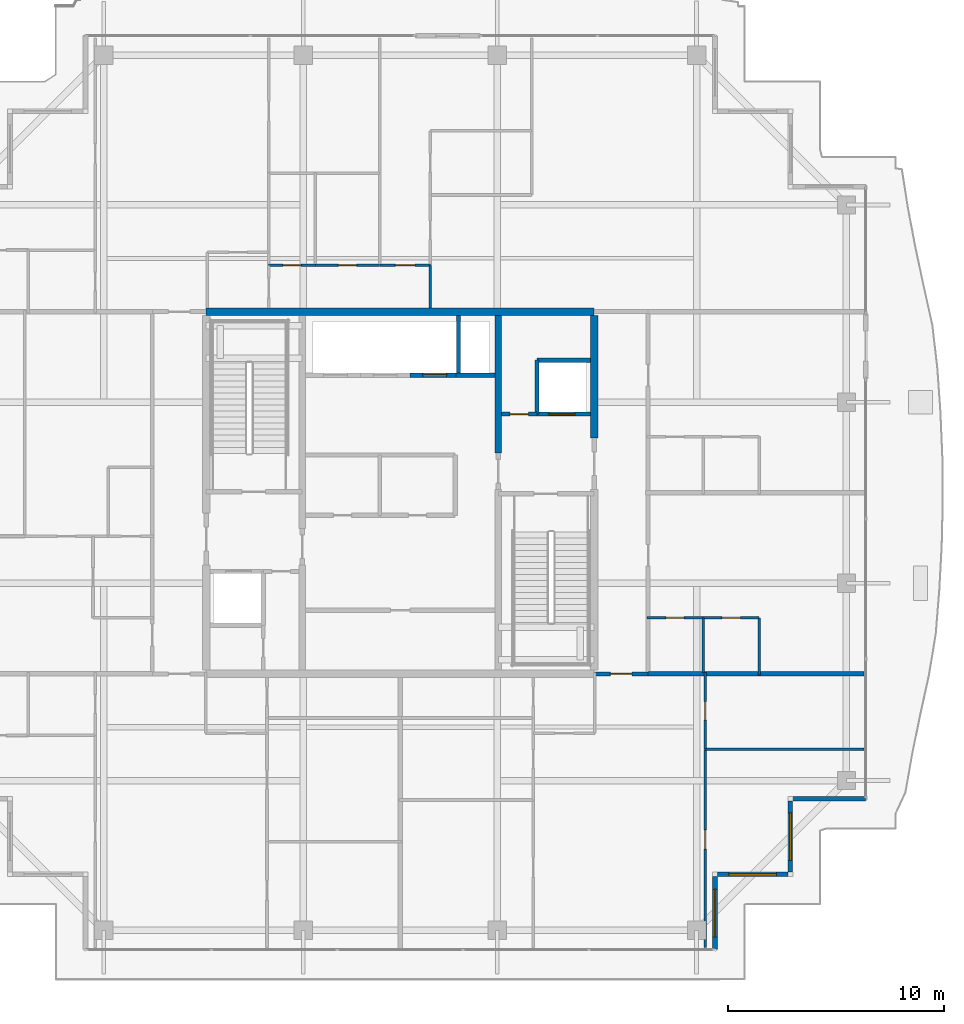
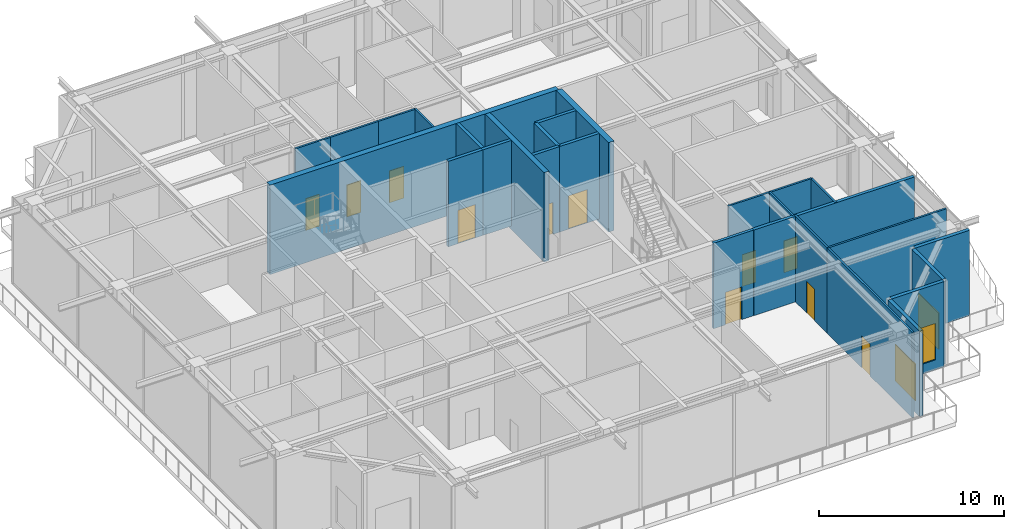
# One storey, part 29 of 40: 27 walls, 11 doors, 3 windows, 14 openings.
"""IFC4 building model written with IfcOpenShell, lengths in metres."""

from ifc_helpers import new_model, si_unit, direction, frame, frame_2d, origin, place, context, subcontext, project, spatial, rectangle, extrude, source, transform, mapped, material, layer, layer_set, type_object, element, fill, save


model = new_model("IFC4")

# Units and contexts
model_context = context("Model", 3, precision=1e-05, world=origin(), true_north=direction((0.0, 1.0)))
body_context = subcontext(model_context, "Body", "Model", "MODEL_VIEW")
ifc_project = project(units=[si_unit("LENGTHUNIT", "METRE"), si_unit("AREAUNIT", "SQUARE_METRE"), si_unit("VOLUMEUNIT", "CUBIC_METRE"), si_unit("PLANEANGLEUNIT", "RADIAN"), si_unit("MASSUNIT", "GRAM", prefix="KILO")], contexts=[model_context])

# Site, building, storey
site_placement = place(None, origin())
site = spatial("IfcSite", under=ifc_project, at=site_placement, CompositionType="ELEMENT")
building_placement = place(site_placement, origin())
building = spatial("IfcBuilding", under=site, at=building_placement, Name="Serunith Strait Residences", CompositionType="ELEMENT")
storey_placement = place(building_placement, frame((0.0, 0.0, 347.949951171875)))
storey = spatial("IfcBuildingStorey", under=building, at=storey_placement, Name="L86", CompositionType="ELEMENT", Elevation=347.949951171875)

# Wall, opening, window
ifc_material_1 = material(Name="Pale-Champagne Aluminium Insulated Panel", Category="aluminium")
ifc_layer_1 = layer(ifc_material_1, 0.219970703125, Name="Pale-Champagne Aluminium Insulated Panel")
ifc_layer_set_1 = layer_set([ifc_layer_1], Name="Pale-Champagne Aluminium Insulated Panel")
wall_type_1 = type_object("IfcWallType", Name="EW-ALUM-220", PredefinedType="ELEMENTEDWALL", material=ifc_layer_set_1)
wall_1_placement = place(storey_placement, frame((47.0, 4.0, 0.0), z_axis=(0.0, 0.0, 1.0), x_axis=(0.0, 1.0, 0.0)))
wall_1 = element("IfcWall", 1, at=wall_1_placement, inside=storey, type_object=wall_type_1, Name="L86 Girih Serrated Corner Wall 02", PredefinedType="ELEMENTEDWALL", context=body_context, shape_type="SweptSolid", body=[
    extrude(rectangle(XDim=3.389892578125, YDim=0.219970703125, at=frame_2d((1.69482421875, 0.0))), origin(), (0.0, 0.0, 1.0), 5.625),
])
opening_1_placement = place(wall_1_placement, frame((0.594970703125, 0.0, 0.64990234375)))
opening_1 = element("IfcOpeningElement", 2, at=opening_1_placement, cuts=wall_1, Name="Opening W-06", PredefinedType="OPENING", context=body_context, shape_type="SweptSolid", body=[
    extrude(rectangle(XDim=2.199951171875, YDim=2.39990234375, at=frame_2d((1.10009765625, 1.199951171875))), frame((0.0, 0.1201171875, 0.0), z_axis=(0.0, -1.0, 0.0), x_axis=(1.0, 0.0, 0.0)), (0.0, 0.0, 1.0), 0.239990234375),
])
ifc_material_2 = material(Name="Crown Penthouse Low-E Operable Window Glass", Category="glass")
window_type = type_object("IfcWindowType", Name="WIN-C6", PartitioningType="TRIPLE_PANEL_VERTICAL", PredefinedType="WINDOW", material=ifc_material_2)
shared_shape_1 = source(origin(), body_context, "Body", "SweptSolid", [
    extrude(rectangle(XDim=2.199951171875, YDim=2.39990234375, at=frame_2d((1.10009765625, 1.199951171875))), frame((0.0, 0.030029296875, 0.0), z_axis=(0.0, -1.0, 0.0), x_axis=(1.0, 0.0, 0.0)), (0.0, 0.0, 1.0), 0.06005859375),
])
window_1_placement = place(opening_1_placement, origin())
window_1 = element("IfcWindow", 3, at=window_1_placement, inside=storey, type_object=window_type, Name="L86 Corner Operable Fritted Window 02", OverallHeight=2.39990234375, OverallWidth=2.199951171875, PartitioningType="SINGLE_PANEL", PredefinedType="WINDOW", context=body_context, shape_type="MappedRepresentation", body=[
    mapped(shared_shape_1, transform((0.0, 0.0, 0.0), scale=1.0)),
])
fill(opening_1, window_1)

wall_2_placement = place(storey_placement, frame((47.110107421875, 7.5, 0.0), z_axis=(0.0, 0.0, 1.0), x_axis=(1.0, 0.0, 0.0)))
wall_2 = element("IfcWall", 4, at=wall_2_placement, inside=storey, type_object=wall_type_1, Name="L86 Girih Serrated Corner Wall 03", PredefinedType="ELEMENTEDWALL", context=body_context, shape_type="SweptSolid", body=[
    extrude(rectangle(XDim=3.27978515625, YDim=0.219970703125, at=frame_2d((1.639892578125, 0.0))), origin(), (0.0, 0.0, 1.0), 5.625),
])
opening_2_placement = place(wall_2_placement, frame((0.5400390625, 0.0, 0.64990234375)))
opening_2 = element("IfcOpeningElement", 5, at=opening_2_placement, cuts=wall_2, Name="Opening W-06", PredefinedType="OPENING", context=body_context, shape_type="SweptSolid", body=[
    extrude(rectangle(XDim=2.199951171875, YDim=2.39990234375, at=frame_2d((1.10009765625, 1.199951171875))), frame((0.0, 0.1201171875, 0.0), z_axis=(0.0, -1.0, 0.0), x_axis=(1.0, 0.0, 0.0)), (0.0, 0.0, 1.0), 0.239990234375),
])
window_2_placement = place(opening_2_placement, origin())
window_2 = element("IfcWindow", 6, at=window_2_placement, inside=storey, type_object=window_type, Name="L86 Corner Operable Fritted Window 03", OverallHeight=2.39990234375, OverallWidth=2.199951171875, PartitioningType="SINGLE_PANEL", PredefinedType="WINDOW", context=body_context, shape_type="MappedRepresentation", body=[
    mapped(shared_shape_1, transform((0.0, 0.0, 0.0), scale=1.0)),
])
fill(opening_2, window_2)

wall_3_placement = place(storey_placement, frame((50.5, 7.610107421875, 0.0), z_axis=(0.0, 0.0, 1.0), x_axis=(0.0, 1.0, 0.0)))
wall_3 = element("IfcWall", 7, at=wall_3_placement, inside=storey, type_object=wall_type_1, Name="L86 Girih Serrated Corner Wall 04", PredefinedType="ELEMENTEDWALL", context=body_context, shape_type="SweptSolid", body=[
    extrude(rectangle(XDim=3.27978515625, YDim=0.219970703125, at=frame_2d((1.639892578125, 0.0))), origin(), (0.0, 0.0, 1.0), 5.625),
])
opening_3_placement = place(wall_3_placement, frame((0.5400390625, 0.0, 0.64990234375)))
opening_3 = element("IfcOpeningElement", 8, at=opening_3_placement, cuts=wall_3, Name="Opening W-06", PredefinedType="OPENING", context=body_context, shape_type="SweptSolid", body=[
    extrude(rectangle(XDim=2.199951171875, YDim=2.39990234375, at=frame_2d((1.10009765625, 1.199951171875))), frame((0.0, 0.1201171875, 0.0), z_axis=(0.0, -1.0, 0.0), x_axis=(1.0, 0.0, 0.0)), (0.0, 0.0, 1.0), 0.239990234375),
])
window_3_placement = place(opening_3_placement, origin())
window_3 = element("IfcWindow", 9, at=window_3_placement, inside=storey, type_object=window_type, Name="L86 Corner Operable Fritted Window 04", OverallHeight=2.39990234375, OverallWidth=2.199951171875, PartitioningType="SINGLE_PANEL", PredefinedType="WINDOW", context=body_context, shape_type="MappedRepresentation", body=[
    mapped(shared_shape_1, transform((0.0, 0.0, 0.0), scale=1.0)),
])
fill(opening_3, window_3)

# Wall
wall_4_placement = place(storey_placement, frame((50.610107421875, 11.0, 0.0), z_axis=(0.0, 0.0, 1.0), x_axis=(1.0, 0.0, 0.0)))
element("IfcWall", 10, at=wall_4_placement, inside=storey, type_object=wall_type_1, Name="L86 Girih Serrated Corner Wall 05", PredefinedType="ELEMENTEDWALL", context=body_context, shape_type="SweptSolid", body=[
    extrude(rectangle(XDim=3.389892578125, YDim=0.219970703125, at=frame_2d((1.69482421875, 0.0))), origin(), (0.0, 0.0, 1.0), 5.625),
])

# Wall, opening, door
ifc_material_3 = material(Name="Fire-rated acoustic gypsum partition")
ifc_layer_2 = layer(ifc_material_3, 0.179931640625, Name="Fire-rated acoustic gypsum partition")
ifc_layer_set_2 = layer_set([ifc_layer_2], Name="Fire-rated acoustic gypsum partition")
wall_type_2 = type_object("IfcWallType", Name="IW-CORR-180", PredefinedType="PARTITIONING", material=ifc_layer_set_2)
wall_5_placement = place(storey_placement, frame((41.402099609375, 16.800048828125, 0.0), z_axis=(0.0, 0.0, 1.0), x_axis=(1.0, 0.0, 0.0)))
wall_5 = element("IfcWall", 11, at=wall_5_placement, inside=storey, type_object=wall_type_2, Name="L86 Partition Wall 027", PredefinedType="PARTITIONING", context=body_context, shape_type="SweptSolid", body=[
    extrude(rectangle(XDim=2.495849609375, YDim=0.179931640625, at=frame_2d((1.248046875, 0.0))), origin(), (0.0, 0.0, 1.0), 5.64013671875),
])
opening_4_placement = place(wall_5_placement, frame((0.748046875, 0.0, 0.0)))
opening_4 = element("IfcOpeningElement", 12, at=opening_4_placement, cuts=wall_5, Name="Opening D-APT1000", PredefinedType="OPENING", context=body_context, shape_type="SweptSolid", body=[
    extrude(rectangle(XDim=1.0, YDim=2.14990234375, at=frame_2d((0.5, 1.074951171875))), frame((0.0, 0.10009765625, 0.0), z_axis=(0.0, -1.0, 0.0), x_axis=(1.0, 0.0, 0.0)), (0.0, 0.0, 1.0), 0.199951171875),
])
ifc_material_4 = material(Name="Solid timber engineered fire door", Category="wood")
door_type_1 = type_object("IfcDoorType", Name="ID-APT-1000", OperationType="NOTDEFINED", PredefinedType="DOOR", material=ifc_material_4)
shared_shape_2 = source(origin(), body_context, "Body", "SweptSolid", [
    extrude(rectangle(XDim=1.0, YDim=2.14990234375, at=frame_2d((0.5, 1.074951171875))), frame((0.0, 0.02490234375, 0.0), z_axis=(0.0, -1.0, 0.0), x_axis=(1.0, 0.0, 0.0)), (0.0, 0.0, 1.0), 0.050048828125),
])
door_1_placement = place(opening_4_placement, origin())
door_1 = element("IfcDoor", 13, at=door_1_placement, inside=storey, type_object=door_type_1, Name="L86 Unit 02 Entrance Door", OperationType="SINGLE_SWING_LEFT", OverallHeight=2.14990234375, OverallWidth=1.0, PredefinedType="DOOR", context=body_context, shape_type="MappedRepresentation", body=[
    mapped(shared_shape_2, transform((0.0, 0.0, 0.0), scale=1.0)),
])
fill(opening_4, door_1)

ifc_material_5 = material(Name="Lightweight steel-stud gypsum partition", Category="steel")
ifc_layer_3 = layer(ifc_material_5, 0.1201171875, Name="Lightweight steel-stud gypsum partition")
ifc_layer_set_3 = layer_set([ifc_layer_3], Name="Lightweight steel-stud gypsum partition")
wall_type_3 = type_object("IfcWallType", Name="IW-PART-120", PredefinedType="PARTITIONING", material=ifc_layer_set_3)
wall_6_placement = place(storey_placement, frame((46.550048828125, 4.094970703125, 0.0), z_axis=(0.0, 0.0, 1.0), x_axis=(0.0, 1.0, 0.0)))
wall_6 = element("IfcWall", 14, at=wall_6_placement, inside=storey, type_object=wall_type_3, Name="L86 Partition Wall 049", PredefinedType="PARTITIONING", context=body_context, shape_type="SweptSolid", body=[
    extrude(rectangle(XDim=9.205078125, YDim=0.1201171875, at=frame_2d((4.6025390625, 0.0))), origin(), (0.0, 0.0, 1.0), 5.64013671875),
])
opening_5_placement = place(wall_6_placement, frame((4.568115234375, 0.0, 0.0)))
opening_5 = element("IfcOpeningElement", 15, at=opening_5_placement, cuts=wall_6, Name="Opening D-RM900", PredefinedType="OPENING", context=body_context, shape_type="SweptSolid", body=[
    extrude(rectangle(XDim=0.89990234375, YDim=2.10009765625, at=frame_2d((0.449951171875, 1.050048828125))), frame((0.0, 0.070068359375, 0.0), z_axis=(0.0, -1.0, 0.0), x_axis=(1.0, 0.0, 0.0)), (0.0, 0.0, 1.0), 0.14013671875),
])
ifc_material_6 = material(Name="Engineered timber flush bedroom door", Category="wood")
door_type_2 = type_object("IfcDoorType", Name="ID-ROOM-900", OperationType="NOTDEFINED", PredefinedType="DOOR", material=ifc_material_6)
shared_shape_3 = source(origin(), body_context, "Body", "SweptSolid", [
    extrude(rectangle(XDim=0.89990234375, YDim=2.10009765625, at=frame_2d((0.449951171875, 1.050048828125))), frame((0.0, 0.02490234375, 0.0), z_axis=(0.0, -1.0, 0.0), x_axis=(1.0, 0.0, 0.0)), (0.0, 0.0, 1.0), 0.050048828125),
])
door_2_placement = place(opening_5_placement, origin())
door_2 = element("IfcDoor", 16, at=door_2_placement, inside=storey, type_object=door_type_2, Name="L86 Bedroom 2 8602 Door", OperationType="SINGLE_SWING_LEFT", OverallHeight=2.10009765625, OverallWidth=0.89990234375, PredefinedType="DOOR", context=body_context, shape_type="MappedRepresentation", body=[
    mapped(shared_shape_3, transform((0.0, 0.0, 0.0), scale=1.0)),
])
fill(opening_5, door_2)

# Wall
wall_7_placement = place(storey_placement, frame((46.550048828125, 13.300048828125, 0.0), z_axis=(0.0, 0.0, 1.0), x_axis=(1.0, 0.0, 0.0)))
element("IfcWall", 17, at=wall_7_placement, inside=storey, type_object=wall_type_3, Name="L86 Partition Wall 050", PredefinedType="PARTITIONING", context=body_context, shape_type="SweptSolid", body=[
    extrude(rectangle(XDim=7.35498046875, YDim=0.1201171875, at=frame_2d((3.677490234375, 0.0))), origin(), (0.0, 0.0, 1.0), 5.64013671875),
])

# Wall, opening, door
wall_8_placement = place(storey_placement, frame((46.550048828125, 13.302001953125, 0.0), z_axis=(0.0, 0.0, 1.0), x_axis=(0.0, 1.0, 0.0)))
wall_8 = element("IfcWall", 18, at=wall_8_placement, inside=storey, type_object=wall_type_3, Name="L86 Partition Wall 051", PredefinedType="PARTITIONING", context=body_context, shape_type="SweptSolid", body=[
    extrude(rectangle(XDim=3.55810546875, YDim=0.1201171875, at=frame_2d((1.779052734375, 0.0))), origin(), (0.0, 0.0, 1.0), 5.64013671875),
])
opening_6_placement = place(wall_8_placement, frame((1.35400390625, 0.0, 0.0)))
opening_6 = element("IfcOpeningElement", 19, at=opening_6_placement, cuts=wall_8, Name="Opening D-RM850", PredefinedType="OPENING", context=body_context, shape_type="SweptSolid", body=[
    extrude(rectangle(XDim=0.85009765625, YDim=2.10009765625, at=frame_2d((0.425048828125, 1.050048828125))), frame((0.0, 0.070068359375, 0.0), z_axis=(0.0, -1.0, 0.0), x_axis=(1.0, 0.0, 0.0)), (0.0, 0.0, 1.0), 0.14013671875),
])
ifc_material_7 = material(Name="Engineered timber flush study and kitchen door", Category="wood")
door_type_3 = type_object("IfcDoorType", Name="ID-ROOM-850", OperationType="NOTDEFINED", PredefinedType="DOOR", material=ifc_material_7)
shared_shape_4 = source(origin(), body_context, "Body", "SweptSolid", [
    extrude(rectangle(XDim=0.85009765625, YDim=2.10009765625, at=frame_2d((0.425048828125, 1.050048828125))), frame((0.0, 0.02490234375, 0.0), z_axis=(0.0, -1.0, 0.0), x_axis=(1.0, 0.0, 0.0)), (0.0, 0.0, 1.0), 0.050048828125),
])
door_3_placement = place(opening_6_placement, origin())
door_3 = element("IfcDoor", 20, at=door_3_placement, inside=storey, type_object=door_type_3, Name="L86 Walk-in Wardrobe 8602 Door", OperationType="SINGLE_SWING_RIGHT", OverallHeight=2.10009765625, OverallWidth=0.85009765625, PredefinedType="DOOR", context=body_context, shape_type="MappedRepresentation", body=[
    mapped(shared_shape_4, transform((0.0, 0.0, 0.0), scale=1.0)),
])
fill(opening_6, door_3)

wall_9_placement = place(storey_placement, frame((26.300048828125, 35.75, 0.0), z_axis=(0.0, 0.0, 1.0), x_axis=(1.0, 0.0, 0.0)))
wall_9 = element("IfcWall", 21, at=wall_9_placement, inside=storey, type_object=wall_type_3, Name="L86 Partition Wall 065", PredefinedType="PARTITIONING", context=body_context, shape_type="SweptSolid", body=[
    extrude(rectangle(XDim=2.162841796875, YDim=0.1201171875, at=frame_2d((1.08154296875, 0.0))), origin(), (0.0, 0.0, 1.0), 5.64013671875),
])
opening_7_placement = place(wall_9_placement, frame((0.656982421875, 0.0, 0.0)))
opening_7 = element("IfcOpeningElement", 22, at=opening_7_placement, cuts=wall_9, Name="Opening D-RM850", PredefinedType="OPENING", context=body_context, shape_type="SweptSolid", body=[
    extrude(rectangle(XDim=0.85009765625, YDim=2.10009765625, at=frame_2d((0.425048828125, 1.050048828125))), frame((0.0, 0.070068359375, 0.0), z_axis=(0.0, -1.0, 0.0), x_axis=(1.0, 0.0, 0.0)), (0.0, 0.0, 1.0), 0.14013671875),
])
door_4_placement = place(opening_7_placement, origin())
door_4 = element("IfcDoor", 23, at=door_4_placement, inside=storey, type_object=door_type_3, Name="L86 Study 8603 Door", OperationType="SINGLE_SWING_LEFT", OverallHeight=2.10009765625, OverallWidth=0.85009765625, PredefinedType="DOOR", context=body_context, shape_type="MappedRepresentation", body=[
    mapped(shared_shape_4, transform((0.0, 0.0, 0.0), scale=1.0)),
])
fill(opening_7, door_4)

wall_10_placement = place(storey_placement, frame((28.465087890625, 35.75, 0.0), z_axis=(0.0, 0.0, 1.0), x_axis=(1.0, 0.0, 0.0)))
wall_10 = element("IfcWall", 24, at=wall_10_placement, inside=storey, type_object=wall_type_3, Name="L86 Partition Wall 066", PredefinedType="PARTITIONING", context=body_context, shape_type="SweptSolid", body=[
    extrude(rectangle(XDim=2.98486328125, YDim=0.1201171875, at=frame_2d((1.492431640625, 0.0))), origin(), (0.0, 0.0, 1.0), 5.64013671875),
])
opening_8_placement = place(wall_10_placement, frame((1.06689453125, 0.0, 0.0)))
opening_8 = element("IfcOpeningElement", 25, at=opening_8_placement, cuts=wall_10, Name="Opening D-RM850", PredefinedType="OPENING", context=body_context, shape_type="SweptSolid", body=[
    extrude(rectangle(XDim=0.85009765625, YDim=2.10009765625, at=frame_2d((0.425048828125, 1.050048828125))), frame((0.0, 0.070068359375, 0.0), z_axis=(0.0, -1.0, 0.0), x_axis=(1.0, 0.0, 0.0)), (0.0, 0.0, 1.0), 0.14013671875),
])
door_5_placement = place(opening_8_placement, origin())
door_5 = element("IfcDoor", 26, at=door_5_placement, inside=storey, type_object=door_type_3, Name="L86 Formal Dining Room 8603 Door", OperationType="SINGLE_SWING_RIGHT", OverallHeight=2.10009765625, OverallWidth=0.85009765625, PredefinedType="DOOR", context=body_context, shape_type="MappedRepresentation", body=[
    mapped(shared_shape_4, transform((0.0, 0.0, 0.0), scale=1.0)),
])
fill(opening_8, door_5)

wall_11_placement = place(storey_placement, frame((31.451904296875, 35.75, 0.0), z_axis=(0.0, 0.0, 1.0), x_axis=(1.0, 0.0, 0.0)))
wall_11 = element("IfcWall", 27, at=wall_11_placement, inside=storey, type_object=wall_type_3, Name="L86 Partition Wall 067", PredefinedType="PARTITIONING", context=body_context, shape_type="SweptSolid", body=[
    extrude(rectangle(XDim=2.34814453125, YDim=0.1201171875, at=frame_2d((1.174072265625, 0.0))), origin(), (0.0, 0.0, 1.0), 5.64013671875),
])
opening_9_placement = place(wall_11_placement, frame((0.72412109375, 0.0, 0.0)))
opening_9 = element("IfcOpeningElement", 28, at=opening_9_placement, cuts=wall_11, Name="Opening D-RM900", PredefinedType="OPENING", context=body_context, shape_type="SweptSolid", body=[
    extrude(rectangle(XDim=0.89990234375, YDim=2.10009765625, at=frame_2d((0.449951171875, 1.050048828125))), frame((0.0, 0.070068359375, 0.0), z_axis=(0.0, -1.0, 0.0), x_axis=(1.0, 0.0, 0.0)), (0.0, 0.0, 1.0), 0.14013671875),
])
door_6_placement = place(opening_9_placement, origin())
door_6 = element("IfcDoor", 29, at=door_6_placement, inside=storey, type_object=door_type_2, Name="L86 Master Bedroom E 8603 Door", OperationType="SINGLE_SWING_LEFT", OverallHeight=2.10009765625, OverallWidth=0.89990234375, PredefinedType="DOOR", context=body_context, shape_type="MappedRepresentation", body=[
    mapped(shared_shape_3, transform((0.0, 0.0, 0.0), scale=1.0)),
])
fill(opening_9, door_6)

# Wall
wall_12_placement = place(storey_placement, frame((33.800048828125, 35.748046875, 0.0), z_axis=(0.0, 0.0, 1.0), x_axis=(0.0, -1.0, 0.0)))
element("IfcWall", 30, at=wall_12_placement, inside=storey, type_object=wall_type_3, Name="L86 Partition Wall 073", PredefinedType="PARTITIONING", context=body_context, shape_type="SweptSolid", body=[
    extrude(rectangle(XDim=1.97314453125, YDim=0.1201171875, at=frame_2d((0.986572265625, 0.0))), origin(), (0.0, 0.0, 1.0), 5.64013671875),
])

# Wall, opening, door
wall_13_placement = place(storey_placement, frame((49.050048828125, 19.39990234375, 0.0), z_axis=(0.0, 0.0, 1.0), x_axis=(-1.0, 0.0, 0.0)))
wall_13 = element("IfcWall", 31, at=wall_13_placement, inside=storey, type_object=wall_type_3, Name="L86 Partition Wall 082", PredefinedType="PARTITIONING", context=body_context, shape_type="SweptSolid", body=[
    extrude(rectangle(XDim=2.60009765625, YDim=0.1201171875, at=frame_2d((1.300048828125, 0.0))), origin(), (0.0, 0.0, 1.0), 5.64013671875),
])
opening_10_placement = place(wall_13_placement, frame((0.875, 0.0, 0.0)))
opening_10 = element("IfcOpeningElement", 32, at=opening_10_placement, cuts=wall_13, Name="Opening D-RM850", PredefinedType="OPENING", context=body_context, shape_type="SweptSolid", body=[
    extrude(rectangle(XDim=0.85009765625, YDim=2.10009765625, at=frame_2d((0.425048828125, 1.050048828125))), frame((0.0, 0.070068359375, 0.0), z_axis=(0.0, -1.0, 0.0), x_axis=(1.0, 0.0, 0.0)), (0.0, 0.0, 1.0), 0.14013671875),
])
door_7_placement = place(opening_10_placement, origin())
door_7 = element("IfcDoor", 33, at=door_7_placement, inside=storey, type_object=door_type_3, Name="L86 Kitchen 8605 Door", OperationType="SINGLE_SWING_RIGHT", OverallHeight=2.10009765625, OverallWidth=0.85009765625, PredefinedType="DOOR", context=body_context, shape_type="MappedRepresentation", body=[
    mapped(shared_shape_4, transform((0.0, 0.0, 0.0), scale=1.0)),
])
fill(opening_10, door_7)

wall_14_placement = place(storey_placement, frame((46.447998046875, 19.39990234375, 0.0), z_axis=(0.0, 0.0, 1.0), x_axis=(-1.0, 0.0, 0.0)))
wall_14 = element("IfcWall", 34, at=wall_14_placement, inside=storey, type_object=wall_type_3, Name="L86 Partition Wall 083", PredefinedType="PARTITIONING", context=body_context, shape_type="SweptSolid", body=[
    extrude(rectangle(XDim=2.60791015625, YDim=0.1201171875, at=frame_2d((1.303955078125, 0.0))), origin(), (0.0, 0.0, 1.0), 5.64013671875),
])
opening_11_placement = place(wall_14_placement, frame((0.87890625, 0.0, 0.0)))
opening_11 = element("IfcOpeningElement", 35, at=opening_11_placement, cuts=wall_14, Name="Opening D-BTH850", PredefinedType="OPENING", context=body_context, shape_type="SweptSolid", body=[
    extrude(rectangle(XDim=0.85009765625, YDim=2.10009765625, at=frame_2d((0.425048828125, 1.050048828125))), frame((0.0, 0.070068359375, 0.0), z_axis=(0.0, -1.0, 0.0), x_axis=(1.0, 0.0, 0.0)), (0.0, 0.0, 1.0), 0.14013671875),
])
ifc_material_8 = material(Name="Moisture-resistant timber bathroom door", Category="wood")
door_type_4 = type_object("IfcDoorType", Name="ID-BATH-850", OperationType="NOTDEFINED", PredefinedType="DOOR", material=ifc_material_8)
door_8_placement = place(opening_11_placement, origin())
door_8 = element("IfcDoor", 36, at=door_8_placement, inside=storey, type_object=door_type_4, Name="L86 Bathroom 8605 Door", OperationType="SINGLE_SWING_LEFT", OverallHeight=2.10009765625, OverallWidth=0.85009765625, PredefinedType="DOOR", context=body_context, shape_type="MappedRepresentation", body=[
    mapped(shared_shape_4, transform((0.0, 0.0, 0.0), scale=1.0)),
])
fill(opening_11, door_8)

# Walls
wall_15_placement = place(storey_placement, frame((46.449951171875, 16.862060546875, 0.0), z_axis=(0.0, 0.0, 1.0), x_axis=(0.0, 1.0, 0.0)))
element("IfcWall", 37, at=wall_15_placement, inside=storey, type_object=wall_type_3, Name="L86 Partition Wall 084", PredefinedType="PARTITIONING", context=body_context, shape_type="SweptSolid", body=[
    extrude(rectangle(XDim=2.537841796875, YDim=0.1201171875, at=frame_2d((1.26904296875, 0.0))), origin(), (0.0, 0.0, 1.0), 5.64013671875),
])
wall_16_placement = place(storey_placement, frame((49.050048828125, 16.739990234375, 0.0), z_axis=(0.0, 0.0, 1.0), x_axis=(0.0, 1.0, 0.0)))
element("IfcWall", 38, at=wall_16_placement, inside=storey, type_object=wall_type_3, Name="L86 Partition Wall 085", PredefinedType="PARTITIONING", context=body_context, shape_type="SweptSolid", body=[
    extrude(rectangle(XDim=2.659912109375, YDim=0.1201171875, at=frame_2d((1.330078125, 0.0))), origin(), (0.0, 0.0, 1.0), 5.64013671875),
])
ifc_material_9 = material(Name="Twin-stud acoustic gypsum board partition")
ifc_layer_4 = layer(ifc_material_9, 0.199951171875, Name="Twin-stud acoustic gypsum board partition")
ifc_layer_set_4 = layer_set([ifc_layer_4], Name="Twin-stud acoustic gypsum board partition")
wall_type_4 = type_object("IfcWallType", Name="IW-PARTY-200", PredefinedType="PARTITIONING", material=ifc_layer_set_4)
wall_17_placement = place(storey_placement, frame((43.89990234375, 16.800048828125, 0.0), z_axis=(0.0, 0.0, 1.0), x_axis=(1.0, 0.0, 0.0)))
element("IfcWall", 39, at=wall_17_placement, inside=storey, type_object=wall_type_4, Name="L86 Partition Wall 021", PredefinedType="PARTITIONING", context=body_context, shape_type="SweptSolid", body=[
    extrude(rectangle(XDim=10.01806640625, YDim=0.199951171875, at=frame_2d((5.009033203125, 0.0))), origin(), (0.0, 0.0, 1.0), 5.64013671875),
])

# Wall, opening, door
ifc_material_10 = material(Name="Autoclaved aerated concrete blockwork", Category="masonry")
ifc_layer_5 = layer(ifc_material_10, 0.199951171875, Name="Autoclaved aerated concrete blockwork")
ifc_layer_set_5 = layer_set([ifc_layer_5], Name="Autoclaved aerated concrete blockwork")
wall_type_5 = type_object("IfcWallType", Name="IW-SHAFT-200", PredefinedType="STANDARD", material=ifc_layer_set_5)
wall_18_placement = place(storey_placement, frame((38.75, 28.85009765625, 0.0), z_axis=(0.0, 0.0, 1.0), x_axis=(1.0, 0.0, 0.0)))
wall_18 = element("IfcWall", 40, at=wall_18_placement, inside=storey, type_object=wall_type_5, Name="L86 FL-2 South Shaft Wall", PredefinedType="STANDARD", context=body_context, shape_type="SweptSolid", body=[
    extrude(rectangle(XDim=2.47509765625, YDim=0.199951171875, at=frame_2d((1.237548828125, 0.0))), origin(), (0.0, 0.0, 1.0), 5.64013671875),
])
opening_12_placement = place(wall_18_placement, frame((0.550048828125, 0.0, 0.0)))
opening_12 = element("IfcOpeningElement", 41, at=opening_12_placement, cuts=wall_18, Name="Opening LD-FF1200", PredefinedType="OPENING", context=body_context, shape_type="SweptSolid", body=[
    extrude(rectangle(XDim=1.199951171875, YDim=2.199951171875, at=frame_2d((0.60009765625, 1.10009765625))), frame((0.0, 0.10986328125, 0.0), z_axis=(0.0, -1.0, 0.0), x_axis=(1.0, 0.0, 0.0)), (0.0, 0.0, 1.0), 0.219970703125),
])
ifc_material_11 = material(Name="Brushed stainless steel landing door", Category="steel")
door_type_5 = type_object("IfcDoorType", Name="LD-FF-1200", OperationType="DOUBLE_DOOR_SLIDING", PredefinedType="DOOR", material=ifc_material_11)
shared_shape_5 = source(origin(), body_context, "Body", "SweptSolid", [
    extrude(rectangle(XDim=1.199951171875, YDim=2.199951171875, at=frame_2d((0.60009765625, 1.10009765625))), frame((0.0, 0.02490234375, 0.0), z_axis=(0.0, -1.0, 0.0), x_axis=(1.0, 0.0, 0.0)), (0.0, 0.0, 1.0), 0.050048828125),
])
door_9_placement = place(opening_12_placement, origin())
door_9 = element("IfcDoor", 42, at=door_9_placement, inside=storey, type_object=door_type_5, Name="L86 FL-2 Landing Door", OperationType="DOUBLE_DOOR_SLIDING", OverallHeight=2.199951171875, OverallWidth=1.199951171875, PredefinedType="DOOR", context=body_context, shape_type="MappedRepresentation", body=[
    mapped(shared_shape_5, transform((0.0, 0.0, 0.0), scale=1.0)),
])
fill(opening_12, door_9)

wall_19_placement = place(storey_placement, frame((32.85009765625, 30.64990234375, 0.0), z_axis=(0.0, 0.0, 1.0), x_axis=(1.0, 0.0, 0.0)))
wall_19 = element("IfcWall", 43, at=wall_19_placement, inside=storey, type_object=wall_type_5, Name="L86 PL-9 South Shaft Wall", PredefinedType="STANDARD", context=body_context, shape_type="SweptSolid", body=[
    extrude(rectangle(XDim=2.14990234375, YDim=0.199951171875, at=frame_2d((1.074951171875, 0.0))), origin(), (0.0, 0.0, 1.0), 5.64013671875),
])
opening_13_placement = place(wall_19_placement, frame((0.60009765625, 0.0, 0.0)))
opening_13 = element("IfcOpeningElement", 44, at=opening_13_placement, cuts=wall_19, Name="Opening LD-1100", PredefinedType="OPENING", context=body_context, shape_type="SweptSolid", body=[
    extrude(rectangle(XDim=1.10009765625, YDim=2.199951171875, at=frame_2d((0.550048828125, 1.10009765625))), frame((0.0, 0.10986328125, 0.0), z_axis=(0.0, -1.0, 0.0), x_axis=(1.0, 0.0, 0.0)), (0.0, 0.0, 1.0), 0.219970703125),
])
ifc_material_12 = material(Name="Pale-champagne stainless landing door")
door_type_6 = type_object("IfcDoorType", Name="LD-LIFT-1100", OperationType="DOUBLE_DOOR_SLIDING", PredefinedType="DOOR", material=ifc_material_12)
shared_shape_6 = source(origin(), body_context, "Body", "SweptSolid", [
    extrude(rectangle(XDim=1.10009765625, YDim=2.199951171875, at=frame_2d((0.550048828125, 1.10009765625))), frame((0.0, 0.02490234375, 0.0), z_axis=(0.0, -1.0, 0.0), x_axis=(1.0, 0.0, 0.0)), (0.0, 0.0, 1.0), 0.050048828125),
])
door_10_placement = place(opening_13_placement, origin())
door_10 = element("IfcDoor", 45, at=door_10_placement, inside=storey, type_object=door_type_6, Name="L86 PL-9 Landing Door", OperationType="DOUBLE_DOOR_SLIDING", OverallHeight=2.199951171875, OverallWidth=1.10009765625, PredefinedType="DOOR", context=body_context, shape_type="MappedRepresentation", body=[
    mapped(shared_shape_6, transform((0.0, 0.0, 0.0), scale=1.0)),
])
fill(opening_13, door_10)

# Walls
wall_20_placement = place(storey_placement, frame((35.0, 30.64990234375, 0.0), z_axis=(0.0, 0.0, 1.0), x_axis=(1.0, 0.0, 0.0)))
element("IfcWall", 46, at=wall_20_placement, inside=storey, type_object=wall_type_5, Name="L86 SL-1 South Shaft Wall", PredefinedType="STANDARD", context=body_context, shape_type="SweptSolid", body=[
    extrude(rectangle(XDim=1.800048828125, YDim=0.199951171875, at=frame_2d((0.89990234375, 0.0))), origin(), (0.0, 0.0, 1.0), 5.64013671875),
])
wall_21_placement = place(storey_placement, frame((35.10009765625, 30.75, 0.0), z_axis=(0.0, 0.0, 1.0), x_axis=(0.0, 1.0, 0.0)))
element("IfcWall", 47, at=wall_21_placement, inside=storey, type_object=wall_type_5, Name="L86 SL-1 West Shaft Wall", PredefinedType="STANDARD", context=body_context, shape_type="SweptSolid", body=[
    extrude(rectangle(XDim=2.675048828125, YDim=0.199951171875, at=frame_2d((1.33740234375, 0.0))), origin(), (0.0, 0.0, 1.0), 5.64013671875),
])
wall_22_placement = place(storey_placement, frame((38.75, 28.85009765625, 0.0), z_axis=(0.0, 0.0, 1.0), x_axis=(0.0, 1.0, 0.0)))
element("IfcWall", 48, at=wall_22_placement, inside=storey, type_object=wall_type_5, Name="L86 Partition Wall 004", PredefinedType="STANDARD", context=body_context, shape_type="SweptSolid", body=[
    extrude(rectangle(XDim=2.5, YDim=0.199951171875, at=frame_2d((1.25, 0.0))), origin(), (0.0, 0.0, 1.0), 5.64013671875),
])
wall_23_placement = place(storey_placement, frame((38.75, 31.35009765625, 0.0), z_axis=(0.0, 0.0, 1.0), x_axis=(1.0, 0.0, 0.0)))
element("IfcWall", 49, at=wall_23_placement, inside=storey, type_object=wall_type_5, Name="L86 Partition Wall 005", PredefinedType="STANDARD", context=body_context, shape_type="SweptSolid", body=[
    extrude(rectangle(XDim=2.47509765625, YDim=0.199951171875, at=frame_2d((1.237548828125, 0.0))), origin(), (0.0, 0.0, 1.0), 5.64013671875),
])

# Wall, opening, door
wall_24_placement = place(storey_placement, frame((37.10009765625, 28.85009765625, 0.0), z_axis=(0.0, 0.0, 1.0), x_axis=(1.0, 0.0, 0.0)))
wall_24 = element("IfcWall", 50, at=wall_24_placement, inside=storey, type_object=wall_type_5, Name="L86 Partition Wall 006", PredefinedType="STANDARD", context=body_context, shape_type="SweptSolid", body=[
    extrude(rectangle(XDim=1.64794921875, YDim=0.199951171875, at=frame_2d((0.823974609375, 0.0))), origin(), (0.0, 0.0, 1.0), 5.64013671875),
])
opening_14_placement = place(wall_24_placement, frame((0.39892578125, 0.0, 0.0)))
opening_14 = element("IfcOpeningElement", 51, at=opening_14_placement, cuts=wall_24, Name="Opening FD-850", PredefinedType="OPENING", context=body_context, shape_type="SweptSolid", body=[
    extrude(rectangle(XDim=0.85009765625, YDim=2.10009765625, at=frame_2d((0.425048828125, 1.050048828125))), frame((0.0, 0.10986328125, 0.0), z_axis=(0.0, -1.0, 0.0), x_axis=(1.0, 0.0, 0.0)), (0.0, 0.0, 1.0), 0.219970703125),
])
ifc_material_13 = material(Name="Powder-coated steel service closet door", Category="steel")
door_type_7 = type_object("IfcDoorType", Name="FD-BOH-850", OperationType="NOTDEFINED", PredefinedType="DOOR", material=ifc_material_13)
door_11_placement = place(opening_14_placement, origin())
door_11 = element("IfcDoor", 52, at=door_11_placement, inside=storey, type_object=door_type_7, Name="L86 North-East Core Service Door", OperationType="SINGLE_SWING_LEFT", OverallHeight=2.10009765625, OverallWidth=0.85009765625, PredefinedType="DOOR", context=body_context, shape_type="MappedRepresentation", body=[
    mapped(shared_shape_4, transform((0.0, 0.0, 0.0), scale=1.0)),
])
fill(opening_14, door_11)

# Walls
ifc_material_14 = material(Name="Concrete C60/75", Category="concrete")
ifc_layer_6 = layer(ifc_material_14, 0.300048828125, Name="Concrete C60/75")
ifc_layer_set_6 = layer_set([ifc_layer_6], Name="Concrete C60/75")
wall_type_6 = type_object("IfcWallType", Name="SW-300-C60", PredefinedType="SHEAR", material=ifc_layer_set_6)
wall_25_placement = place(storey_placement, frame((36.949951171875, 27.050048828125, -0.260009765625), z_axis=(0.0, 0.0, 1.0), x_axis=(0.0, 1.0, 0.0)))
element("IfcWall", 53, at=wall_25_placement, inside=storey, type_object=wall_type_6, Name="L86 Core Internal East Web North Pier", PredefinedType="SHEAR", context=body_context, shape_type="SweptSolid", body=[
    extrude(rectangle(XDim=6.375, YDim=0.300048828125, at=frame_2d((3.1875, 0.0))), origin(), (0.0, 0.0, 1.0), 5.89794921875),
])
ifc_layer_7 = layer(ifc_material_14, 0.35009765625, Name="Concrete C60/75")
ifc_layer_set_7 = layer_set([ifc_layer_7], Name="Concrete C60/75")
wall_type_7 = type_object("IfcWallType", Name="SW-350-C60", PredefinedType="SHEAR", material=ifc_layer_set_7)
wall_26_placement = place(storey_placement, frame((41.39990234375, 33.60009765625, -0.260009765625), z_axis=(0.0, 0.0, 1.0), x_axis=(-1.0, 0.0, 0.0)))
element("IfcWall", 54, at=wall_26_placement, inside=storey, type_object=wall_type_7, Name="L86 Core North Shear Wall", PredefinedType="SHEAR", context=body_context, shape_type="SweptSolid", body=[
    extrude(rectangle(XDim=18.0, YDim=0.35009765625, at=frame_2d((9.0, 0.0))), origin(), (0.0, 0.0, 1.0), 5.89794921875),
])
wall_27_placement = place(storey_placement, frame((41.39990234375, 27.75, -0.260009765625), z_axis=(0.0, 0.0, 1.0), x_axis=(0.0, 1.0, 0.0)))
element("IfcWall", 55, at=wall_27_placement, inside=storey, type_object=wall_type_7, Name="L86 Core East Shear Wall North Pier", PredefinedType="SHEAR", context=body_context, shape_type="SweptSolid", body=[
    extrude(rectangle(XDim=5.675048828125, YDim=0.35009765625, at=frame_2d((2.83740234375, 0.0))), origin(), (0.0, 0.0, 1.0), 5.89794921875),
])

save(model, "model.ifc")
